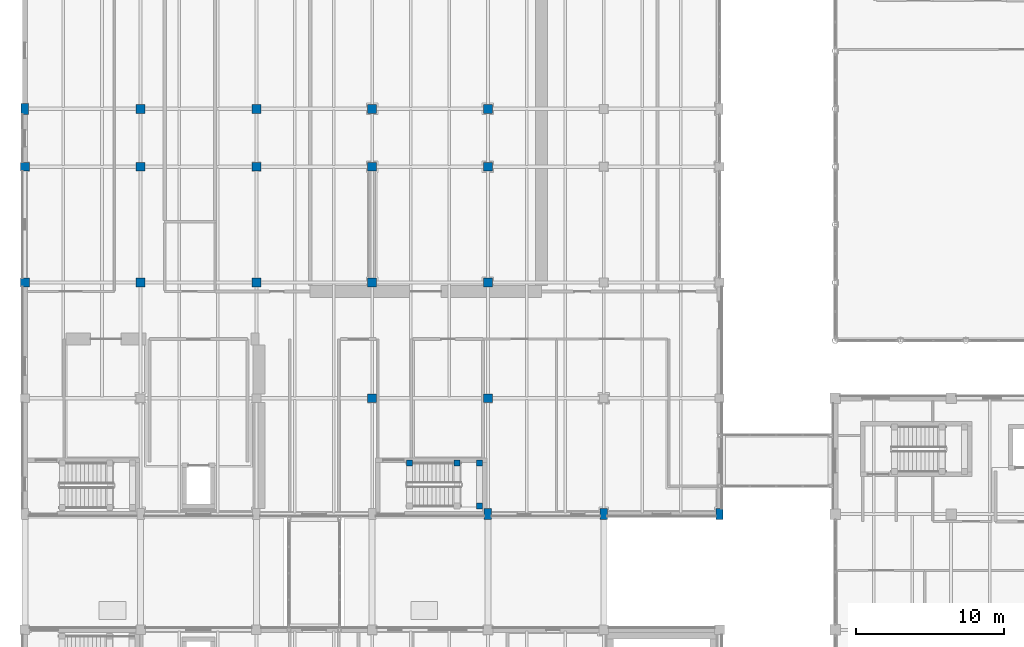
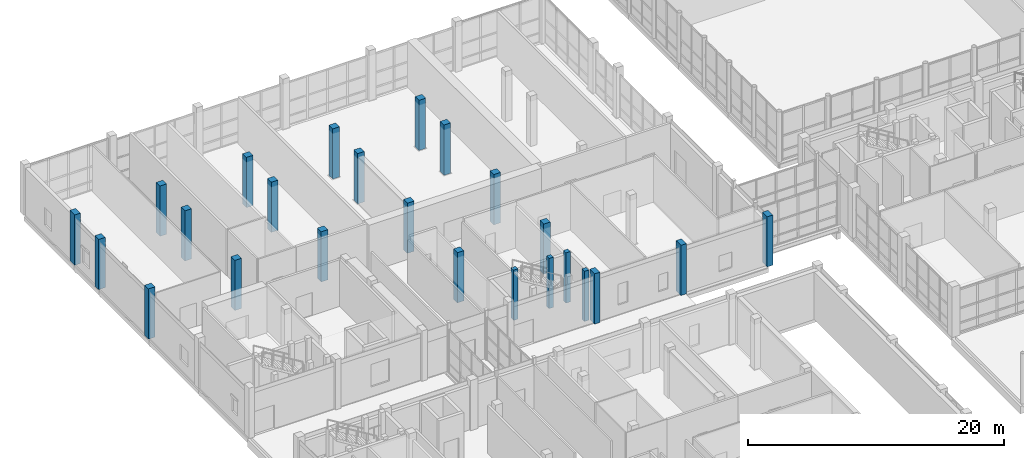
# One storey, part 5 of 131: 24 columns.
"""IFC4 building model written with IfcOpenShell, lengths in metres."""

from ifc_helpers import new_model, si_unit, direction, frame, origin, origin_2d, place, context, subcontext, project, spatial, rectangle, extrude, material, material_profile, profile_set, type_object, element, save


model = new_model("IFC4")

# Units and contexts
model_context = context("Model", 3, precision=1e-05, world=origin(), true_north=direction((0.0, 1.0)))
body_context = subcontext(model_context, "Body", "Model", "MODEL_VIEW")
ifc_project = project(units=[si_unit("LENGTHUNIT", "METRE"), si_unit("AREAUNIT", "SQUARE_METRE"), si_unit("VOLUMEUNIT", "CUBIC_METRE"), si_unit("PLANEANGLEUNIT", "RADIAN"), si_unit("MASSUNIT", "GRAM", prefix="KILO")], contexts=[model_context])

# Site, building, storey
site_placement = place(None, origin())
site = spatial("IfcSite", under=ifc_project, at=site_placement, CompositionType="ELEMENT")
building_placement = place(site_placement, origin())
building = spatial("IfcBuilding", under=site, at=building_placement, Name="Celorna Specialist Clinic", CompositionType="ELEMENT")
storey_placement = place(building_placement, origin())
storey = spatial("IfcBuildingStorey", under=building, at=storey_placement, Name="L00", CompositionType="ELEMENT", Elevation=0.0)

# Columns
ifc_material_1 = material(Name="Concrete C40/50", Category="concrete")
ifc_material_profile_1 = material_profile(ifc_material_1, rectangle(XDim=0.60009765625, YDim=0.60009765625, at=origin_2d()), Name="RC 600x600")
ifc_profile_set_1 = profile_set([ifc_material_profile_1], Name="Concrete C40/50")
column_type_1 = type_object("IfcColumnType", Name="CT-04", PredefinedType="COLUMN", material=ifc_profile_set_1)
for number, where, z_axis, x_axis, name in (
    (1, (0.0, 50.699951171875, 0.0), (0.0, 0.0, 1.0), (1.0, 0.0, 0.0), "Column CT-04 L00 X01/YK"),
    (2, (0.0, 58.5, 0.0), (0.0, 0.0, 1.0), (1.0, 0.0, 0.0), "Column CT-04 L00 X01/YL"),
    (3, (7.800048828125, 50.699951171875, 0.0), (0.0, 0.0, 1.0), (1.0, 0.0, 0.0), "Column CT-04 L00 X02/YK"),
    (4, (7.800048828125, 58.5, 0.0), (0.0, 0.0, 1.0), (1.0, 0.0, 0.0), "Column CT-04 L00 X02/YL"),
    (5, (7.800048828125, 62.39990234375, 0.0), (0.0, 0.0, 1.0), (1.0, 0.0, 0.0), "Column CT-04 L00 X02/YM"),
    (6, (15.60009765625, 50.699951171875, 0.0), (0.0, 0.0, 1.0), (1.0, 0.0, 0.0), "Column CT-04 L00 X03/YK"),
    (7, (15.60009765625, 58.5, 0.0), (0.0, 0.0, 1.0), (1.0, 0.0, 0.0), "Column CT-04 L00 X03/YL"),
    (8, (15.60009765625, 62.39990234375, 0.0), (0.0, 0.0, 1.0), (1.0, 0.0, 0.0), "Column CT-04 L00 X03/YM"),
    (9, (23.39990234375, 42.89990234375, 0.0), (0.0, 0.0, 1.0), (1.0, 0.0, 0.0), "Column CT-04 L00 X04/YH"),
    (10, (23.39990234375, 50.699951171875, 0.0), (0.0, 0.0, 1.0), (1.0, 0.0, 0.0), "Column CT-04 L00 X04/YK"),
    (11, (23.39990234375, 58.5, 0.0), (0.0, 0.0, 1.0), (1.0, 0.0, 0.0), "Column CT-04 L00 X04/YL"),
    (12, (23.39990234375, 62.39990234375, 0.0), (0.0, 0.0, 1.0), (1.0, 0.0, 0.0), "Column CT-04 L00 X04/YM"),
    (13, (31.199951171875, 42.89990234375, 0.0), (0.0, 0.0, 1.0), (1.0, 0.0, 0.0), "Column CT-04 L00 X05/YH"),
    (14, (31.199951171875, 50.699951171875, 0.0), (0.0, 0.0, 1.0), (1.0, 0.0, 0.0), "Column CT-04 L00 X05/YK"),
    (15, (31.199951171875, 58.5, 0.0), (0.0, 0.0, 1.0), (1.0, 0.0, 0.0), "Column CT-04 L00 X05/YL"),
    (16, (31.199951171875, 62.39990234375, 0.0), (0.0, 0.0, 1.0), (1.0, 0.0, 0.0), "Column CT-04 L00 X05/YM"),
):
    element("IfcColumn", number, at=place(storey_placement, frame(where, z_axis=z_axis, x_axis=x_axis)), inside=storey, type_object=column_type_1, Name=name, PredefinedType="COLUMN", context=body_context, shape_type="SweptSolid", body=[
        extrude(rectangle(XDim=0.60009765625, YDim=0.60009765625, at=origin_2d()), origin(), (0.0, 0.0, 1.0), 4.800048828125),
    ])
ifc_material_2 = material(Name="Concrete C35/45", Category="concrete")
ifc_material_profile_2 = material_profile(ifc_material_2, rectangle(XDim=0.39990234375, YDim=0.39990234375, at=origin_2d()), Name="RC 400x400")
ifc_profile_set_2 = profile_set([ifc_material_profile_2], Name="Concrete C35/45")
column_type_2 = type_object("IfcColumnType", Name="CT-08", PredefinedType="COLUMN", material=ifc_profile_set_2)
for number, where, z_axis, x_axis, name in (
    (17, (25.919921875, 38.530029296875, 0.0), (0.0, 0.0, 1.0), (1.0, 0.0, 0.0), "Stair ST-07 landing column CT-08 L00 X04/YG"),
    (18, (29.1201171875, 38.530029296875, 0.0), (0.0, 0.0, 1.0), (1.0, 0.0, 0.0), "Stair ST-07 landing column CT-08 L00 X05/YG"),
    (19, (30.639892578125, 35.6298828125, 0.0), (0.0, 0.0, 1.0), (1.0, 0.0, 0.0), "Stair ST-07 landing column CT-08 L00 X05/YG"),
    (20, (30.639892578125, 38.530029296875, 0.0), (0.0, 0.0, 1.0), (1.0, 0.0, 0.0), "Stair ST-07 landing column CT-08 L00 X05/YG"),
):
    element("IfcColumn", number, at=place(storey_placement, frame(where, z_axis=z_axis, x_axis=x_axis)), inside=storey, type_object=column_type_2, Name=name, PredefinedType="COLUMN", context=body_context, shape_type="SweptSolid", body=[
        extrude(rectangle(XDim=0.39990234375, YDim=0.39990234375, at=origin_2d()), origin(), (0.0, 0.0, 1.0), 4.800048828125),
    ])
ifc_material_profile_3 = material_profile(ifc_material_1, rectangle(XDim=0.5, YDim=0.75, at=origin_2d()), Name="RC 500x750")
ifc_profile_set_3 = profile_set([ifc_material_profile_3], Name="Concrete C40/50")
column_type_3 = type_object("IfcColumnType", Name="CT-09", PredefinedType="COLUMN", material=ifc_profile_set_3)
for number, where, z_axis, x_axis, name in (
    (21, (0.0, 62.39990234375, 0.0), (0.0, 0.0, 1.0), (1.0, 0.0, 0.0), "Column CT-09 L00 X01/YM"),
    (22, (31.199951171875, 35.10009765625, 0.0), (0.0, 0.0, 1.0), (1.0, 0.0, 0.0), "Column CT-09 L00 X05/YG"),
    (23, (39.0, 35.10009765625, 0.0), (0.0, 0.0, 1.0), (1.0, 0.0, 0.0), "Column CT-09 L00 X06/YG"),
    (24, (46.800048828125, 35.10009765625, 0.0), (0.0, 0.0, 1.0), (1.0, 0.0, 0.0), "Column CT-09 L00 X07/YG"),
):
    element("IfcColumn", number, at=place(storey_placement, frame(where, z_axis=z_axis, x_axis=x_axis)), inside=storey, type_object=column_type_3, Name=name, PredefinedType="COLUMN", context=body_context, shape_type="SweptSolid", body=[
        extrude(rectangle(XDim=0.5, YDim=0.75, at=origin_2d()), origin(), (0.0, 0.0, 1.0), 4.800048828125),
    ])

save(model, "model.ifc")
